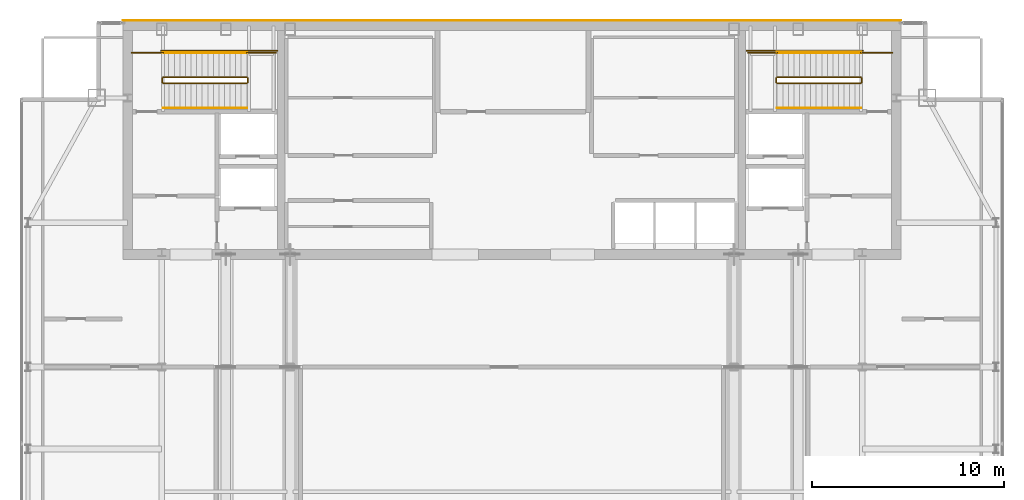
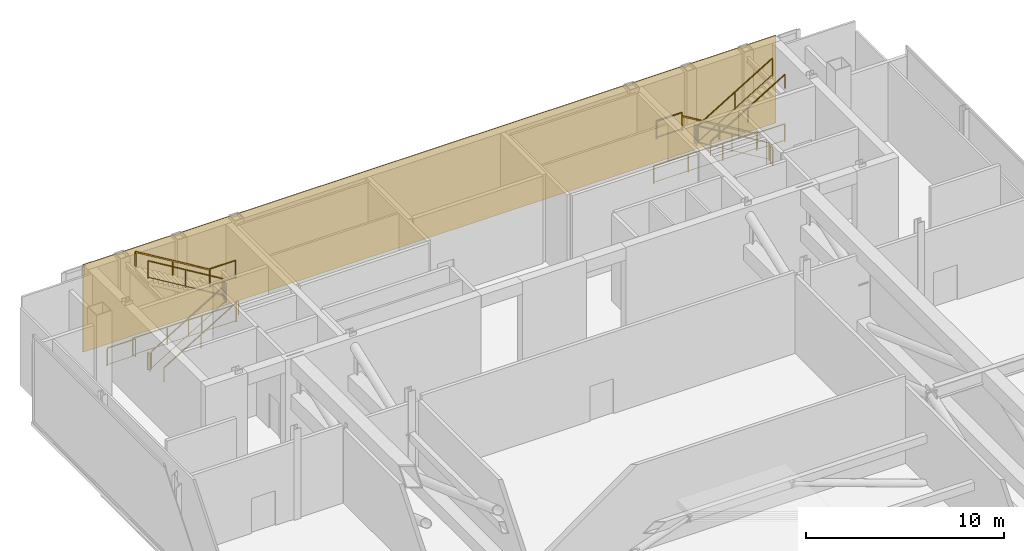
# One storey, part 26 of 26: 18 railings, 1 covering.
"""IFC4 building model written with IfcOpenShell, lengths in metres."""

from ifc_helpers import new_model, si_unit, direction, frame, origin, origin_2d, place, context, subcontext, project, spatial, polyline, rectangle, outline, extrude, material, layer, layer_set, type_object, element, save


model = new_model("IFC4")

# Units and contexts
model_context = context("Model", 3, precision=1e-05, world=origin(), true_north=direction((0.0, 1.0)))
body_context = subcontext(model_context, "Body", "Model", "MODEL_VIEW")
ifc_project = project(units=[si_unit("LENGTHUNIT", "METRE"), si_unit("AREAUNIT", "SQUARE_METRE"), si_unit("VOLUMEUNIT", "CUBIC_METRE"), si_unit("PLANEANGLEUNIT", "RADIAN"), si_unit("MASSUNIT", "GRAM", prefix="KILO")], contexts=[model_context])

# Site, building, storey
site_placement = place(None, origin())
site = spatial("IfcSite", under=ifc_project, at=site_placement, CompositionType="ELEMENT")
building_placement = place(site_placement, origin())
building = spatial("IfcBuilding", under=site, at=building_placement, Name="Khoronbel Lancet Exchange", CompositionType="ELEMENT")
storey_placement = place(building_placement, frame((0.0, 0.0, 350.60009765625)))
storey = spatial("IfcBuildingStorey", under=building, at=storey_placement, Name="L91", CompositionType="ELEMENT", Elevation=350.60009765625)

# Covering
ifc_material_1 = material(Name="Honed Egyptian Limestone & Bronze Rainscreen", Category="masonry")
ifc_layer = layer(ifc_material_1, 0.050048828125, Name="Honed Egyptian Limestone & Bronze Rainscreen")
ifc_layer_set = layer_set([ifc_layer], Name="Honed Egyptian Limestone & Bronze Rainscreen")
covering_type = type_object("IfcCoveringType", Name="COV-CLAD1", PredefinedType="CLADDING", material=ifc_layer_set)
covering_placement = place(storey_placement, origin())
element("IfcCovering", 1, at=covering_placement, inside=storey, type_object=covering_type, Name="Level L91 north rear-core stone and bronze rainscreen cladding", PredefinedType="CLADDING", context=body_context, shape_type="SweptSolid", body=[
    extrude(outline(polyline([(16.199951171875, 53.699951171875), (56.699951171875, 53.699951171875), (56.699951171875, 53.75), (16.199951171875, 53.75), (16.199951171875, 53.699951171875)])), origin(), (0.0, 0.0, 1.0), 5.39990234375),
])

# Railings
ifc_material_2 = material(Name="Painted Steel Balustrade", Category="steel")
railing_type_1 = type_object("IfcRailingType", Name="RL-STG110", PredefinedType="GUARDRAIL", material=ifc_material_2)
railing_1_placement = place(storey_placement, frame((18.300048828125, 50.449951171875, 0.1748046875)))
element("IfcRailing", 2, at=railing_1_placement, inside=storey, type_object=railing_type_1, Name="L91 ST1 stair guard 1", PredefinedType="GUARDRAIL", context=body_context, shape_type="SweptSolid", body=[
    extrude(rectangle(XDim=0.048095703125, YDim=0.048095703125, at=origin_2d()), frame((0.0, 0.0, 1.09619140625), z_axis=(0.856179964356, 0.0, 0.516677722218), x_axis=(0.0, 1.0, 0.0)), (0.0, 0.0, 1.0), 5.08056640625),
    extrude(rectangle(XDim=0.02392578125, YDim=0.02392578125, at=origin_2d()), frame((0.0, 0.0, 0.080078125), z_axis=(0.856179964356, 0.0, 0.516677722218), x_axis=(0.0, 1.0, 0.0)), (0.0, 0.0, 1.0), 5.08056640625),
    extrude(rectangle(XDim=0.0419921875, YDim=0.0419921875, at=origin_2d()), origin(), (0.0, 0.0, 1.0), 1.072021484375),
    extrude(rectangle(XDim=0.0419921875, YDim=0.0419921875, at=origin_2d()), frame((2.1748046875, 0.0, 1.3125)), (0.0, 0.0, 1.0), 1.072021484375),
    extrude(rectangle(XDim=0.0419921875, YDim=0.0419921875, at=origin_2d()), frame((4.349853515625, 0.0, 2.625)), (0.0, 0.0, 1.0), 1.072021484375),
])
railing_2_placement = place(storey_placement, frame((22.699951171875, 50.5, 2.7998046875)))
element("IfcRailing", 3, at=railing_2_placement, inside=storey, type_object=railing_type_1, Name="L91 ST1 stair guard 2", PredefinedType="GUARDRAIL", context=body_context, shape_type="SweptSolid", body=[
    extrude(rectangle(XDim=0.048095703125, YDim=0.048095703125, at=origin_2d()), frame((0.0, 0.0, 1.09619140625), z_axis=(0.0, 1.0, 0.0), x_axis=(-1.0, 0.0, 0.0)), (0.0, 0.0, 1.0), 0.219970703125),
    extrude(rectangle(XDim=0.02392578125, YDim=0.02392578125, at=origin_2d()), frame((0.0, 0.0, 0.080078125), z_axis=(0.0, 1.0, 0.0), x_axis=(-1.0, 0.0, 0.0)), (0.0, 0.0, 1.0), 0.219970703125),
    extrude(rectangle(XDim=0.0419921875, YDim=0.0419921875, at=origin_2d()), origin(), (0.0, 0.0, 1.0), 1.072021484375),
    extrude(rectangle(XDim=0.0419921875, YDim=0.0419921875, at=origin_2d()), frame((0.0, 0.219970703125, 0.0)), (0.0, 0.0, 1.0), 1.072021484375),
])
railing_3_placement = place(storey_placement, frame((22.64990234375, 52.050048828125, 2.7998046875)))
element("IfcRailing", 4, at=railing_3_placement, inside=storey, type_object=railing_type_1, Name="L91 ST1 stair guard 3", PredefinedType="GUARDRAIL", context=body_context, shape_type="SweptSolid", body=[
    extrude(rectangle(XDim=0.048095703125, YDim=0.048095703125, at=origin_2d()), frame((0.0, 0.0, 1.09619140625), z_axis=(1.0, 0.0, 0.0), x_axis=(0.0, 1.0, 0.0)), (0.0, 0.0, 1.0), 1.5),
    extrude(rectangle(XDim=0.02392578125, YDim=0.02392578125, at=origin_2d()), frame((0.0, 0.0, 0.080078125), z_axis=(1.0, 0.0, 0.0), x_axis=(0.0, 1.0, 0.0)), (0.0, 0.0, 1.0), 1.5),
    extrude(rectangle(XDim=0.0419921875, YDim=0.0419921875, at=origin_2d()), origin(), (0.0, 0.0, 1.0), 1.072021484375),
    extrude(rectangle(XDim=0.0419921875, YDim=0.0419921875, at=origin_2d()), frame((1.5, 0.0, 0.0)), (0.0, 0.0, 1.0), 1.072021484375),
])
railing_4_placement = place(storey_placement, frame((22.64990234375, 50.77001953125, 2.974853515625)))
element("IfcRailing", 5, at=railing_4_placement, inside=storey, type_object=railing_type_1, Name="L91 ST1 stair guard 4", PredefinedType="GUARDRAIL", context=body_context, shape_type="SweptSolid", body=[
    extrude(rectangle(XDim=0.048095703125, YDim=0.048095703125, at=origin_2d()), frame((0.0, 0.0, 1.09619140625), z_axis=(-0.856179964356, 0.0, 0.516677722218), x_axis=(0.0, -1.0, 0.0)), (0.0, 0.0, 1.0), 5.08056640625),
    extrude(rectangle(XDim=0.02392578125, YDim=0.02392578125, at=origin_2d()), frame((0.0, 0.0, 0.080078125), z_axis=(-0.856179964356, 0.0, 0.516677722218), x_axis=(0.0, -1.0, 0.0)), (0.0, 0.0, 1.0), 5.08056640625),
    extrude(rectangle(XDim=0.0419921875, YDim=0.0419921875, at=origin_2d()), origin(), (0.0, 0.0, 1.0), 1.072021484375),
    extrude(rectangle(XDim=0.0419921875, YDim=0.0419921875, at=origin_2d()), frame((-2.1748046875, 0.0, 1.3125)), (0.0, 0.0, 1.0), 1.072021484375),
    extrude(rectangle(XDim=0.0419921875, YDim=0.0419921875, at=origin_2d()), frame((-4.349853515625, 0.0, 2.625)), (0.0, 0.0, 1.0), 1.072021484375),
])
railing_5_placement = place(storey_placement, frame((18.25, 50.5, 0.0)))
element("IfcRailing", 6, at=railing_5_placement, inside=storey, type_object=railing_type_1, Name="L91 ST1 stair guard 5", PredefinedType="GUARDRAIL", context=body_context, shape_type="SweptSolid", body=[
    extrude(rectangle(XDim=0.048095703125, YDim=0.048095703125, at=origin_2d()), frame((0.0, 0.0, 1.09619140625), z_axis=(0.0, 1.0, 0.0), x_axis=(-1.0, 0.0, 0.0)), (0.0, 0.0, 1.0), 0.219970703125),
    extrude(rectangle(XDim=0.02392578125, YDim=0.02392578125, at=origin_2d()), frame((0.0, 0.0, 0.080078125), z_axis=(0.0, 1.0, 0.0), x_axis=(-1.0, 0.0, 0.0)), (0.0, 0.0, 1.0), 0.219970703125),
    extrude(rectangle(XDim=0.0419921875, YDim=0.0419921875, at=origin_2d()), origin(), (0.0, 0.0, 1.0), 1.072021484375),
    extrude(rectangle(XDim=0.0419921875, YDim=0.0419921875, at=origin_2d()), frame((0.0, 0.219970703125, 0.0)), (0.0, 0.0, 1.0), 1.072021484375),
])
railing_6_placement = place(storey_placement, frame((16.64990234375, 52.050048828125, 0.0)))
element("IfcRailing", 7, at=railing_6_placement, inside=storey, type_object=railing_type_1, Name="L91 ST1 stair guard 6", PredefinedType="GUARDRAIL", context=body_context, shape_type="SweptSolid", body=[
    extrude(rectangle(XDim=0.048095703125, YDim=0.048095703125, at=origin_2d()), frame((0.0, 0.0, 1.09619140625), z_axis=(1.0, 0.0, 0.0), x_axis=(0.0, 1.0, 0.0)), (0.0, 0.0, 1.0), 1.650146484375),
    extrude(rectangle(XDim=0.02392578125, YDim=0.02392578125, at=origin_2d()), frame((0.0, 0.0, 0.080078125), z_axis=(1.0, 0.0, 0.0), x_axis=(0.0, 1.0, 0.0)), (0.0, 0.0, 1.0), 1.650146484375),
    extrude(rectangle(XDim=0.0419921875, YDim=0.0419921875, at=origin_2d()), origin(), (0.0, 0.0, 1.0), 1.072021484375),
    extrude(rectangle(XDim=0.0419921875, YDim=0.0419921875, at=origin_2d()), frame((1.650146484375, 0.0, 0.0)), (0.0, 0.0, 1.0), 1.072021484375),
])
railing_7_placement = place(storey_placement, frame((18.199951171875, 52.14990234375, 0.0)))
element("IfcRailing", 8, at=railing_7_placement, inside=storey, type_object=railing_type_1, Name="L91 ST1 stair guard 7", PredefinedType="GUARDRAIL", context=body_context, shape_type="SweptSolid", body=[
    extrude(rectangle(XDim=0.048095703125, YDim=0.048095703125, at=origin_2d()), frame((0.0, 0.0, 1.09619140625), z_axis=(1.0, 0.0, 0.0), x_axis=(0.0, 1.0, 0.0)), (0.0, 0.0, 1.0), 6.050048828125),
    extrude(rectangle(XDim=0.02392578125, YDim=0.02392578125, at=origin_2d()), frame((0.0, 0.0, 0.080078125), z_axis=(1.0, 0.0, 0.0), x_axis=(0.0, 1.0, 0.0)), (0.0, 0.0, 1.0), 6.050048828125),
    extrude(rectangle(XDim=0.0419921875, YDim=0.0419921875, at=origin_2d()), origin(), (0.0, 0.0, 1.0), 1.072021484375),
    extrude(rectangle(XDim=0.0419921875, YDim=0.0419921875, at=origin_2d()), frame((2.0166015625, 0.0, 0.0)), (0.0, 0.0, 1.0), 1.072021484375),
    extrude(rectangle(XDim=0.0419921875, YDim=0.0419921875, at=origin_2d()), frame((4.033447265625, 0.0, 0.0)), (0.0, 0.0, 1.0), 1.072021484375),
    extrude(rectangle(XDim=0.0419921875, YDim=0.0419921875, at=origin_2d()), frame((6.050048828125, 0.0, 0.0)), (0.0, 0.0, 1.0), 1.072021484375),
])
railing_8_placement = place(storey_placement, frame((54.60009765625, 50.77001953125, 0.1748046875)))
element("IfcRailing", 9, at=railing_8_placement, inside=storey, type_object=railing_type_1, Name="L91 ST2 stair guard 1", PredefinedType="GUARDRAIL", context=body_context, shape_type="SweptSolid", body=[
    extrude(rectangle(XDim=0.048095703125, YDim=0.048095703125, at=origin_2d()), frame((0.0, 0.0, 1.09619140625), z_axis=(-0.856192791889, 0.0, 0.516656465282), x_axis=(0.0, -1.0, 0.0)), (0.0, 0.0, 1.0), 5.080810546875),
    extrude(rectangle(XDim=0.02392578125, YDim=0.02392578125, at=origin_2d()), frame((0.0, 0.0, 0.080078125), z_axis=(-0.856192791889, 0.0, 0.516656465282), x_axis=(0.0, -1.0, 0.0)), (0.0, 0.0, 1.0), 5.080810546875),
    extrude(rectangle(XDim=0.0419921875, YDim=0.0419921875, at=origin_2d()), origin(), (0.0, 0.0, 1.0), 1.072021484375),
    extrude(rectangle(XDim=0.0419921875, YDim=0.0419921875, at=origin_2d()), frame((-2.175048828125, 0.0, 1.3125)), (0.0, 0.0, 1.0), 1.072021484375),
    extrude(rectangle(XDim=0.0419921875, YDim=0.0419921875, at=origin_2d()), frame((-4.35009765625, 0.0, 2.625)), (0.0, 0.0, 1.0), 1.072021484375),
])
railing_9_placement = place(storey_placement, frame((50.199951171875, 50.719970703125, 2.7998046875)))
element("IfcRailing", 10, at=railing_9_placement, inside=storey, type_object=railing_type_1, Name="L91 ST2 stair guard 2", PredefinedType="GUARDRAIL", context=body_context, shape_type="SweptSolid", body=[
    extrude(rectangle(XDim=0.048095703125, YDim=0.048095703125, at=origin_2d()), frame((0.0, 0.0, 1.09619140625), z_axis=(0.0, -1.0, 0.0), x_axis=(1.0, 0.0, 0.0)), (0.0, 0.0, 1.0), 0.219970703125),
    extrude(rectangle(XDim=0.02392578125, YDim=0.02392578125, at=origin_2d()), frame((0.0, 0.0, 0.080078125), z_axis=(0.0, -1.0, 0.0), x_axis=(1.0, 0.0, 0.0)), (0.0, 0.0, 1.0), 0.219970703125),
    extrude(rectangle(XDim=0.0419921875, YDim=0.0419921875, at=origin_2d()), origin(), (0.0, 0.0, 1.0), 1.072021484375),
    extrude(rectangle(XDim=0.0419921875, YDim=0.0419921875, at=origin_2d()), frame((0.0, -0.219970703125, 0.0)), (0.0, 0.0, 1.0), 1.072021484375),
])
railing_10_placement = place(storey_placement, frame((50.25, 52.050048828125, 2.7998046875)))
element("IfcRailing", 11, at=railing_10_placement, inside=storey, type_object=railing_type_1, Name="L91 ST2 stair guard 3", PredefinedType="GUARDRAIL", context=body_context, shape_type="SweptSolid", body=[
    extrude(rectangle(XDim=0.048095703125, YDim=0.048095703125, at=origin_2d()), frame((0.0, 0.0, 1.09619140625), z_axis=(-1.0, 0.0, 0.0), x_axis=(0.0, -1.0, 0.0)), (0.0, 0.0, 1.0), 1.5),
    extrude(rectangle(XDim=0.02392578125, YDim=0.02392578125, at=origin_2d()), frame((0.0, 0.0, 0.080078125), z_axis=(-1.0, 0.0, 0.0), x_axis=(0.0, -1.0, 0.0)), (0.0, 0.0, 1.0), 1.5),
    extrude(rectangle(XDim=0.0419921875, YDim=0.0419921875, at=origin_2d()), origin(), (0.0, 0.0, 1.0), 1.072021484375),
    extrude(rectangle(XDim=0.0419921875, YDim=0.0419921875, at=origin_2d()), frame((-1.5, 0.0, 0.0)), (0.0, 0.0, 1.0), 1.072021484375),
])
railing_11_placement = place(storey_placement, frame((50.25, 50.449951171875, 2.974853515625)))
element("IfcRailing", 12, at=railing_11_placement, inside=storey, type_object=railing_type_1, Name="L91 ST2 stair guard 4", PredefinedType="GUARDRAIL", context=body_context, shape_type="SweptSolid", body=[
    extrude(rectangle(XDim=0.048095703125, YDim=0.048095703125, at=origin_2d()), frame((0.0, 0.0, 1.09619140625), z_axis=(0.856192791889, 0.0, 0.516656465282), x_axis=(0.0, 1.0, 0.0)), (0.0, 0.0, 1.0), 5.080810546875),
    extrude(rectangle(XDim=0.02392578125, YDim=0.02392578125, at=origin_2d()), frame((0.0, 0.0, 0.080078125), z_axis=(0.856192791889, 0.0, 0.516656465282), x_axis=(0.0, 1.0, 0.0)), (0.0, 0.0, 1.0), 5.080810546875),
    extrude(rectangle(XDim=0.0419921875, YDim=0.0419921875, at=origin_2d()), origin(), (0.0, 0.0, 1.0), 1.072021484375),
    extrude(rectangle(XDim=0.0419921875, YDim=0.0419921875, at=origin_2d()), frame((2.175048828125, 0.0, 1.3125)), (0.0, 0.0, 1.0), 1.072021484375),
    extrude(rectangle(XDim=0.0419921875, YDim=0.0419921875, at=origin_2d()), frame((4.35009765625, 0.0, 2.625)), (0.0, 0.0, 1.0), 1.072021484375),
])
railing_12_placement = place(storey_placement, frame((54.64990234375, 50.719970703125, 0.0)))
element("IfcRailing", 13, at=railing_12_placement, inside=storey, type_object=railing_type_1, Name="L91 ST2 stair guard 5", PredefinedType="GUARDRAIL", context=body_context, shape_type="SweptSolid", body=[
    extrude(rectangle(XDim=0.048095703125, YDim=0.048095703125, at=origin_2d()), frame((0.0, 0.0, 1.09619140625), z_axis=(0.0, -1.0, 0.0), x_axis=(1.0, 0.0, 0.0)), (0.0, 0.0, 1.0), 0.219970703125),
    extrude(rectangle(XDim=0.02392578125, YDim=0.02392578125, at=origin_2d()), frame((0.0, 0.0, 0.080078125), z_axis=(0.0, -1.0, 0.0), x_axis=(1.0, 0.0, 0.0)), (0.0, 0.0, 1.0), 0.219970703125),
    extrude(rectangle(XDim=0.0419921875, YDim=0.0419921875, at=origin_2d()), origin(), (0.0, 0.0, 1.0), 1.072021484375),
    extrude(rectangle(XDim=0.0419921875, YDim=0.0419921875, at=origin_2d()), frame((0.0, -0.219970703125, 0.0)), (0.0, 0.0, 1.0), 1.072021484375),
])
railing_13_placement = place(storey_placement, frame((56.25, 52.050048828125, 0.0)))
element("IfcRailing", 14, at=railing_13_placement, inside=storey, type_object=railing_type_1, Name="L91 ST2 stair guard 6", PredefinedType="GUARDRAIL", context=body_context, shape_type="SweptSolid", body=[
    extrude(rectangle(XDim=0.048095703125, YDim=0.048095703125, at=origin_2d()), frame((0.0, 0.0, 1.09619140625), z_axis=(-1.0, 0.0, 0.0), x_axis=(0.0, -1.0, 0.0)), (0.0, 0.0, 1.0), 1.64990234375),
    extrude(rectangle(XDim=0.02392578125, YDim=0.02392578125, at=origin_2d()), frame((0.0, 0.0, 0.080078125), z_axis=(-1.0, 0.0, 0.0), x_axis=(0.0, -1.0, 0.0)), (0.0, 0.0, 1.0), 1.64990234375),
    extrude(rectangle(XDim=0.0419921875, YDim=0.0419921875, at=origin_2d()), origin(), (0.0, 0.0, 1.0), 1.072021484375),
    extrude(rectangle(XDim=0.0419921875, YDim=0.0419921875, at=origin_2d()), frame((-1.64990234375, 0.0, 0.0)), (0.0, 0.0, 1.0), 1.072021484375),
])
railing_14_placement = place(storey_placement, frame((54.699951171875, 52.14990234375, 0.0)))
element("IfcRailing", 15, at=railing_14_placement, inside=storey, type_object=railing_type_1, Name="L91 ST2 stair guard 7", PredefinedType="GUARDRAIL", context=body_context, shape_type="SweptSolid", body=[
    extrude(rectangle(XDim=0.048095703125, YDim=0.048095703125, at=origin_2d()), frame((0.0, 0.0, 1.09619140625), z_axis=(-1.0, 0.0, 0.0), x_axis=(0.0, -1.0, 0.0)), (0.0, 0.0, 1.0), 6.050048828125),
    extrude(rectangle(XDim=0.02392578125, YDim=0.02392578125, at=origin_2d()), frame((0.0, 0.0, 0.080078125), z_axis=(-1.0, 0.0, 0.0), x_axis=(0.0, -1.0, 0.0)), (0.0, 0.0, 1.0), 6.050048828125),
    extrude(rectangle(XDim=0.0419921875, YDim=0.0419921875, at=origin_2d()), origin(), (0.0, 0.0, 1.0), 1.072021484375),
    extrude(rectangle(XDim=0.0419921875, YDim=0.0419921875, at=origin_2d()), frame((-2.0166015625, 0.0, 0.0)), (0.0, 0.0, 1.0), 1.072021484375),
    extrude(rectangle(XDim=0.0419921875, YDim=0.0419921875, at=origin_2d()), frame((-4.033447265625, 0.0, 0.0)), (0.0, 0.0, 1.0), 1.072021484375),
    extrude(rectangle(XDim=0.0419921875, YDim=0.0419921875, at=origin_2d()), frame((-6.050048828125, 0.0, 0.0)), (0.0, 0.0, 1.0), 1.072021484375),
])
ifc_material_3 = material(Name="Brushed Stainless Steel 316", Category="steel")
railing_type_2 = type_object("IfcRailingType", Name="RL-STH92", PredefinedType="HANDRAIL", material=ifc_material_3)
railing_15_placement = place(storey_placement, frame((18.300048828125, 49.169921875, 0.1748046875)))
element("IfcRailing", 16, at=railing_15_placement, inside=storey, type_object=railing_type_2, Name="L91 ST1 stair handrail 1", PredefinedType="HANDRAIL", context=body_context, shape_type="SweptSolid", body=[
    extrude(rectangle(XDim=0.048095703125, YDim=0.048095703125, at=origin_2d()), frame((0.0, 0.0, 0.8759765625), z_axis=(0.856179964356, 0.0, 0.516677722218), x_axis=(0.0, 1.0, 0.0)), (0.0, 0.0, 1.0), 5.08056640625),
    extrude(rectangle(XDim=0.0419921875, YDim=0.0419921875, at=origin_2d()), origin(), (0.0, 0.0, 1.0), 0.851806640625),
    extrude(rectangle(XDim=0.0419921875, YDim=0.0419921875, at=origin_2d()), frame((2.1748046875, 0.0, 1.3125)), (0.0, 0.0, 1.0), 0.851806640625),
    extrude(rectangle(XDim=0.0419921875, YDim=0.0419921875, at=origin_2d()), frame((4.349853515625, 0.0, 2.625)), (0.0, 0.0, 1.0), 0.851806640625),
])
railing_16_placement = place(storey_placement, frame((22.64990234375, 52.050048828125, 2.974853515625)))
element("IfcRailing", 17, at=railing_16_placement, inside=storey, type_object=railing_type_2, Name="L91 ST1 stair handrail 2", PredefinedType="HANDRAIL", context=body_context, shape_type="SweptSolid", body=[
    extrude(rectangle(XDim=0.048095703125, YDim=0.048095703125, at=origin_2d()), frame((0.0, 0.0, 0.8759765625), z_axis=(-0.856179964356, 0.0, 0.516677722218), x_axis=(0.0, -1.0, 0.0)), (0.0, 0.0, 1.0), 5.08056640625),
    extrude(rectangle(XDim=0.0419921875, YDim=0.0419921875, at=origin_2d()), origin(), (0.0, 0.0, 1.0), 0.851806640625),
    extrude(rectangle(XDim=0.0419921875, YDim=0.0419921875, at=origin_2d()), frame((-2.1748046875, 0.0, 1.3125)), (0.0, 0.0, 1.0), 0.851806640625),
    extrude(rectangle(XDim=0.0419921875, YDim=0.0419921875, at=origin_2d()), frame((-4.349853515625, 0.0, 2.625)), (0.0, 0.0, 1.0), 0.851806640625),
])
railing_17_placement = place(storey_placement, frame((54.60009765625, 52.050048828125, 0.1748046875)))
element("IfcRailing", 18, at=railing_17_placement, inside=storey, type_object=railing_type_2, Name="L91 ST2 stair handrail 1", PredefinedType="HANDRAIL", context=body_context, shape_type="SweptSolid", body=[
    extrude(rectangle(XDim=0.048095703125, YDim=0.048095703125, at=origin_2d()), frame((0.0, 0.0, 0.8759765625), z_axis=(-0.856192791889, 0.0, 0.516656465282), x_axis=(0.0, -1.0, 0.0)), (0.0, 0.0, 1.0), 5.080810546875),
    extrude(rectangle(XDim=0.0419921875, YDim=0.0419921875, at=origin_2d()), origin(), (0.0, 0.0, 1.0), 0.851806640625),
    extrude(rectangle(XDim=0.0419921875, YDim=0.0419921875, at=origin_2d()), frame((-2.175048828125, 0.0, 1.3125)), (0.0, 0.0, 1.0), 0.851806640625),
    extrude(rectangle(XDim=0.0419921875, YDim=0.0419921875, at=origin_2d()), frame((-4.35009765625, 0.0, 2.625)), (0.0, 0.0, 1.0), 0.851806640625),
])
railing_18_placement = place(storey_placement, frame((50.25, 49.169921875, 2.974853515625)))
element("IfcRailing", 19, at=railing_18_placement, inside=storey, type_object=railing_type_2, Name="L91 ST2 stair handrail 2", PredefinedType="HANDRAIL", context=body_context, shape_type="SweptSolid", body=[
    extrude(rectangle(XDim=0.048095703125, YDim=0.048095703125, at=origin_2d()), frame((0.0, 0.0, 0.8759765625), z_axis=(0.856192791889, 0.0, 0.516656465282), x_axis=(0.0, 1.0, 0.0)), (0.0, 0.0, 1.0), 5.080810546875),
    extrude(rectangle(XDim=0.0419921875, YDim=0.0419921875, at=origin_2d()), origin(), (0.0, 0.0, 1.0), 0.851806640625),
    extrude(rectangle(XDim=0.0419921875, YDim=0.0419921875, at=origin_2d()), frame((2.175048828125, 0.0, 1.3125)), (0.0, 0.0, 1.0), 0.851806640625),
    extrude(rectangle(XDim=0.0419921875, YDim=0.0419921875, at=origin_2d()), frame((4.35009765625, 0.0, 2.625)), (0.0, 0.0, 1.0), 0.851806640625),
])

save(model, "model.ifc")
